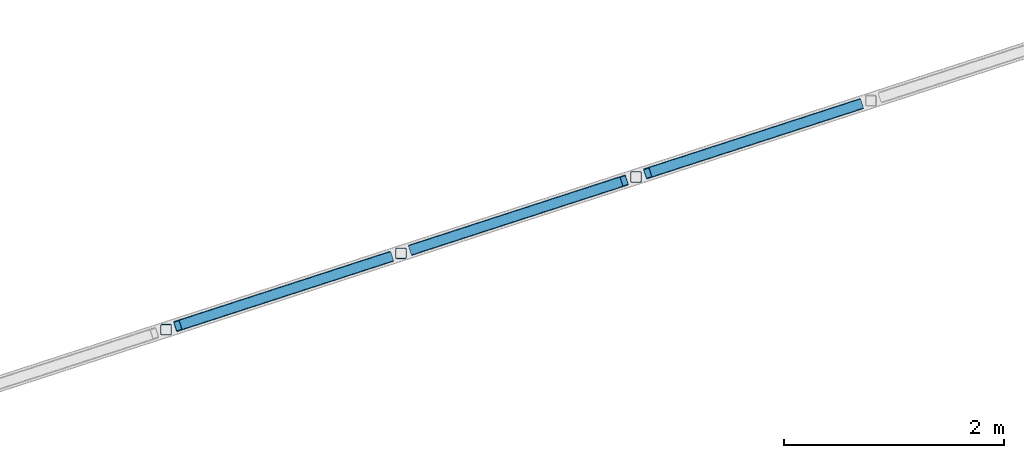
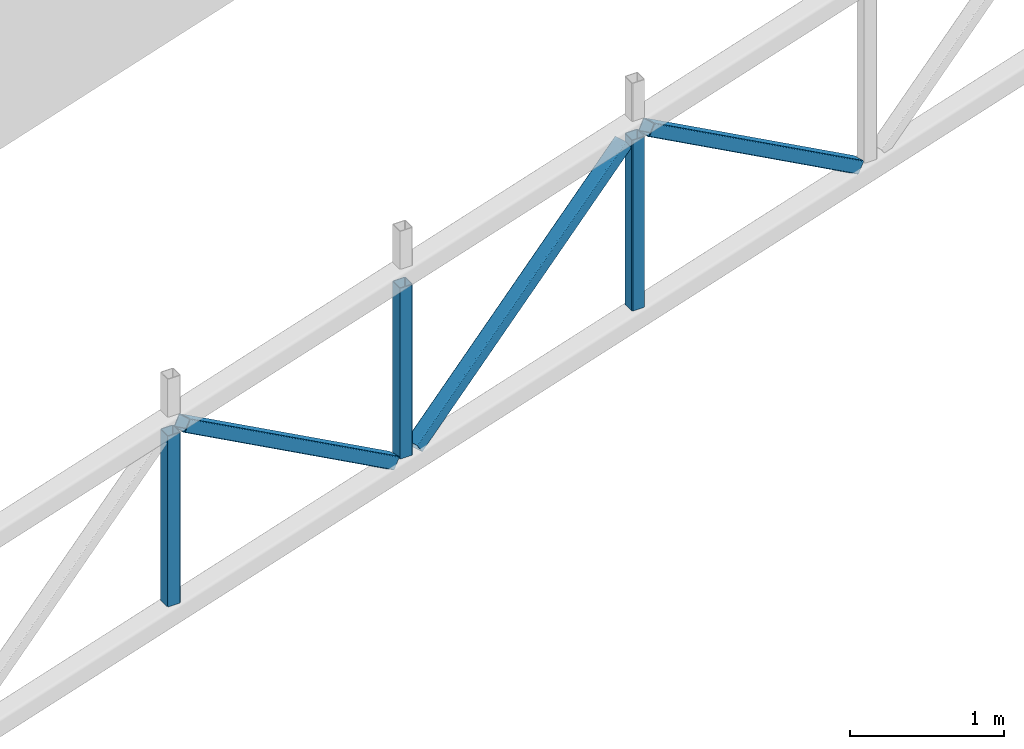
# One storey, part 21 of 81: 6 members.
"""IFC4 building model written with IfcOpenShell, lengths in metres."""

from ifc_helpers import new_model, si_unit, direction, frame, origin, origin_2d, place, context, subcontext, project, spatial, hollow_rectangle, extrude, material, material_profile, profile_set, type_object, element, save


model = new_model("IFC4")

# Units and contexts
model_context = context("Model", 3, precision=1e-05, world=origin(), true_north=direction((0.0, 1.0)))
body_context = subcontext(model_context, "Body", "Model", "MODEL_VIEW")
ifc_project = project(units=[si_unit("LENGTHUNIT", "METRE"), si_unit("AREAUNIT", "SQUARE_METRE"), si_unit("VOLUMEUNIT", "CUBIC_METRE"), si_unit("PLANEANGLEUNIT", "RADIAN"), si_unit("MASSUNIT", "GRAM", prefix="KILO")], contexts=[model_context])

# Site, building, storey
site_placement = place(None, origin())
site = spatial("IfcSite", under=ifc_project, at=site_placement, CompositionType="ELEMENT")
building_placement = place(site_placement, origin())
building = spatial("IfcBuilding", under=site, at=building_placement, Name="Tuart Plaza Theatre", CompositionType="ELEMENT")
storey_placement = place(building_placement, frame((0.0, 0.0, 17.5)))
storey = spatial("IfcBuildingStorey", under=building, at=storey_placement, Name="L04", CompositionType="ELEMENT", Elevation=17.5)

# Members
ifc_material_1 = material(Name="Steel Grade C350L0", Category="steel")
ifc_material_profile_1 = material_profile(ifc_material_1, hollow_rectangle(XDim=0.10009765625, YDim=0.10009765625, WallThickness=0.006103515625, InnerFilletRadius=0.006103515625, OuterFilletRadius=0.011962890625, at=origin_2d()), Name="100x100x6 SHS")
ifc_profile_set_1 = profile_set([ifc_material_profile_1], Name="Steel Grade C350L0")
member_type_1 = type_object("IfcMemberType", Name="MEMBER Brace 100x100x6 SHS", PredefinedType="BRACE", material=ifc_profile_set_1)
member_placement = place(storey_placement, frame((50.982177734375, 64.39990234375, 4.03369140625), z_axis=(0.7911546012, 0.257060001735, -0.554972569149), x_axis=(-0.309015134011, 0.951057120762, 0.0)))
element("IfcMember", 1, at=member_placement, inside=storey, type_object=member_type_1, Name="BR134", PredefinedType="BRACE", context=body_context, shape_type="SweptSolid", body=[
    extrude(hollow_rectangle(XDim=0.10009765625, YDim=0.10009765625, WallThickness=0.006103515625, InnerFilletRadius=0.006103515625, OuterFilletRadius=0.011962890625, at=origin_2d()), origin(), (0.0, 0.0, 1.0), 2.432373046875),
])
for number, where, z_axis, x_axis, name in (
    (2, (53.1201171875, 65.094482421875, 2.683837890625), (0.791117049064, 0.257080416527, 0.5550166431), (-0.309050599318, 0.951045596731, 0.0), "BR135"),
    (3, (55.258056640625, 65.7890625, 4.03369140625), (0.791117049064, 0.257080416527, -0.5550166431), (-0.309050599318, 0.951045596731, 0.0), "BR136"),
):
    element("IfcMember", number, at=place(storey_placement, frame(where, z_axis=z_axis, x_axis=x_axis)), inside=storey, type_object=member_type_1, Name=name, PredefinedType="BRACE", context=body_context, shape_type="SweptSolid", body=[
        extrude(hollow_rectangle(XDim=0.10009765625, YDim=0.10009765625, WallThickness=0.006103515625, InnerFilletRadius=0.006103515625, OuterFilletRadius=0.011962890625, at=origin_2d()), origin(), (0.0, 0.0, 1.0), 2.43212890625),
    ])
ifc_material_2 = material(Name="Steel Grade C350L0", Category="steel")
ifc_material_profile_2 = material_profile(ifc_material_2, hollow_rectangle(XDim=0.10009765625, YDim=0.10009765625, WallThickness=0.006103515625, InnerFilletRadius=0.006103515625, OuterFilletRadius=0.011962890625, at=origin_2d()), Name="100x100x6 SHS")
ifc_profile_set_2 = profile_set([ifc_material_profile_2], Name="Steel Grade C350L0")
member_type_2 = type_object("IfcMemberType", Name="MEMBER Post 100x100x6 SHS", PredefinedType="POST", material=ifc_profile_set_2)
for number, where, z_axis, x_axis, name in (
    (4, (50.87548828125, 64.365234375, 2.683837890625), (0.0, 0.0, 1.0), (1.0, 0.0, 0.0), "PO164"),
    (5, (53.01318359375, 65.059814453125, 2.683837890625), (0.0, 0.0, 1.0), (1.0, 0.0, 0.0), "PO165"),
    (6, (55.151123046875, 65.75439453125, 2.683837890625), (0.0, 0.0, 1.0), (1.0, 0.0, 0.0), "PO166"),
):
    element("IfcMember", number, at=place(storey_placement, frame(where, z_axis=z_axis, x_axis=x_axis)), inside=storey, type_object=member_type_2, Name=name, PredefinedType="POST", context=body_context, shape_type="SweptSolid", body=[
        extrude(hollow_rectangle(XDim=0.10009765625, YDim=0.10009765625, WallThickness=0.006103515625, InnerFilletRadius=0.006103515625, OuterFilletRadius=0.011962890625, at=origin_2d()), origin(), (0.0, 0.0, 1.0), 1.349853515625),
    ])

save(model, "model.ifc")
